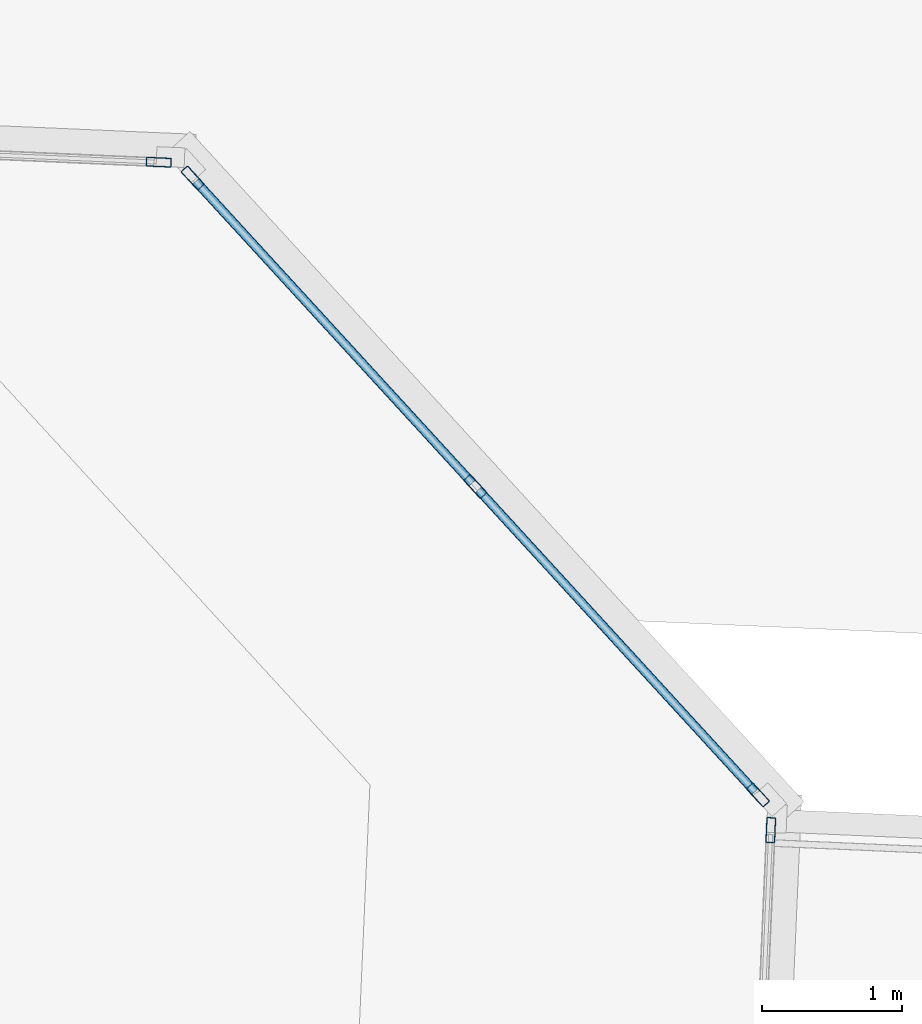
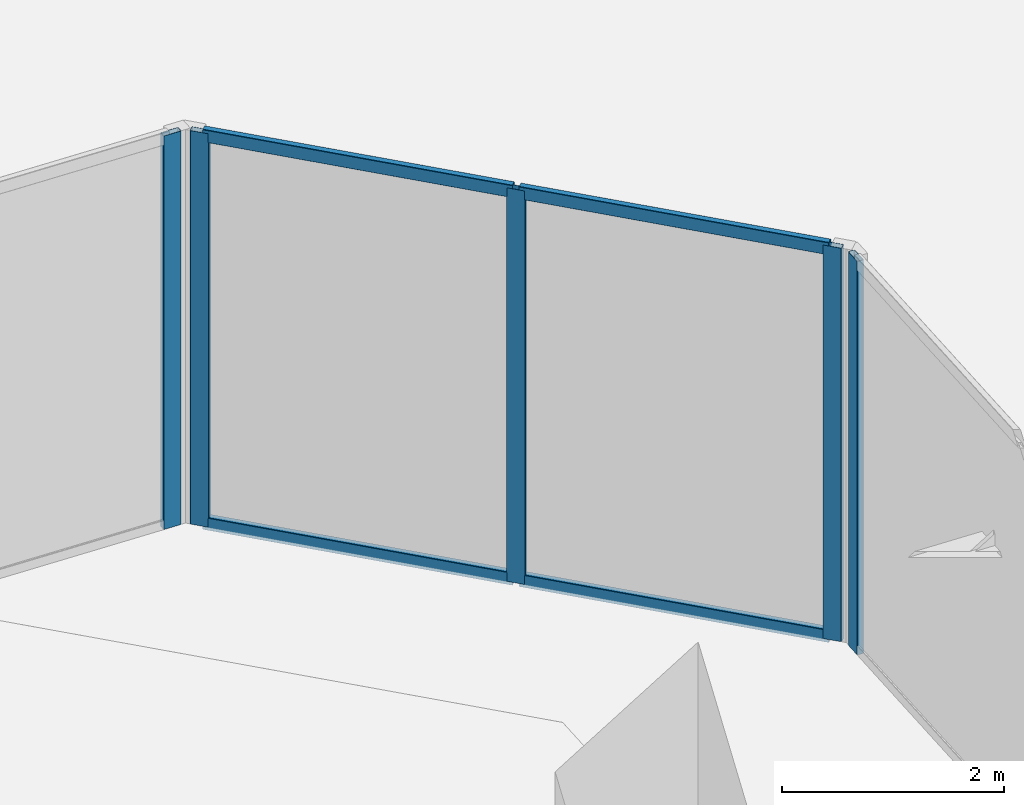
# One storey, part 24 of 33: 9 members, 3 elements without a shape of their own.
"""IFC4 building model written with IfcOpenShell, lengths in metres."""

from ifc_helpers import new_model, si_unit, direction, frame, origin, origin_2d, place, context, subcontext, project, spatial, hollow_rectangle, extrude, source, transform, mapped, material, material_profile, profile_set, type_object, element, aggregate, save


model = new_model("IFC4")

# Units and contexts
model_context = context("Model", 3, precision=1e-05, world=origin(), true_north=direction((0.0, 1.0)))
body_context = subcontext(model_context, "Body", "Model", "MODEL_VIEW")
ifc_project = project(units=[si_unit("LENGTHUNIT", "METRE"), si_unit("AREAUNIT", "SQUARE_METRE"), si_unit("VOLUMEUNIT", "CUBIC_METRE"), si_unit("PLANEANGLEUNIT", "RADIAN"), si_unit("MASSUNIT", "GRAM", prefix="KILO")], contexts=[model_context])

# Site, building, storey
site_placement = place(None, origin())
site = spatial("IfcSite", under=ifc_project, at=site_placement, CompositionType="ELEMENT")
building_placement = place(site_placement, origin())
building = spatial("IfcBuilding", under=site, at=building_placement, Name="Torre Montelarca", CompositionType="ELEMENT")
storey_placement = place(building_placement, frame((0.0, 0.0, 32.800048828125)))
storey = spatial("IfcBuildingStorey", under=building, at=storey_placement, Name="L07", CompositionType="ELEMENT", Elevation=32.800048828125)

# Curtain wall, member
ifc_material_1 = material(Name="Insulated low-E laminated glass", Category="glass")
curtain_wall_type = type_object("IfcCurtainWallType", Name="CW-SYS-Z1", PredefinedType="USERDEFINED", material=ifc_material_1)
curtain_wall_1_placement = place(storey_placement, origin())
curtain_wall_1 = element("IfcCurtainWall", 1, at=curtain_wall_1_placement, inside=storey, type_object=curtain_wall_type, Name="L07 Curtain Wall Run CW-T3-L07-E06-B2", ObjectType="UNITISED GLAZING", PredefinedType="USERDEFINED")
ifc_material_2 = material(Name="Anodised aluminium AA 6063-T6", Category="aluminium")
ifc_material_profile_1 = material_profile(ifc_material_2, hollow_rectangle(XDim=0.06494140625, YDim=0.179931640625, WallThickness=0.00390625, InnerFilletRadius=0.00390625, OuterFilletRadius=0.008056640625, at=origin_2d()), Name="ALU65X180X4", Category="aluminium")
ifc_profile_set_1 = profile_set([ifc_material_profile_1], Name="Anodised aluminium AA 6063-T6")
member_type_1 = type_object("IfcMemberType", Name="CWM-ALU180", PredefinedType="MULLION", material=ifc_profile_set_1)
shared_shape_1 = source(origin(), body_context, "Body", "SweptSolid", [
    extrude(hollow_rectangle(XDim=0.06494140625, YDim=0.179931640625, WallThickness=0.00390625, InnerFilletRadius=0.00390625, OuterFilletRadius=0.008056640625, at=origin_2d()), origin(), (0.0, 0.0, 1.0), 4.320068359375),
])
member_1_placement = place(storey_placement, frame((64.2314453125, 41.64697265625, 0.0), z_axis=(0.0, 0.0, 1.0), x_axis=(-0.999048203112, 0.043619810397, 0.0)))
member_1 = element("IfcMember", 2, at=member_1_placement, type_object=member_type_1, Name="CW mullion 3", PredefinedType="MULLION", context=body_context, shape_type="MappedRepresentation", body=[
    mapped(shared_shape_1, transform((0.0, 0.0, 0.0), scale=1.0)),
])
aggregate(curtain_wall_1, [member_1])

# Curtain wall, members
curtain_wall_2_placement = place(storey_placement, origin())
curtain_wall_2 = element("IfcCurtainWall", 3, at=curtain_wall_2_placement, inside=storey, type_object=curtain_wall_type, Name="L07 Curtain Wall Run CW-T3-L07-E07-B1", ObjectType="UNITISED GLAZING", PredefinedType="USERDEFINED")
member_2_placement = place(storey_placement, frame((64.14013671875, 41.897705078125, 0.0), z_axis=(0.0, 0.0, 1.0), x_axis=(-0.737291747736, -0.675574480513, 0.0)))
member_2 = element("IfcMember", 4, at=member_2_placement, type_object=member_type_1, Name="CW mullion 1", PredefinedType="MULLION", context=body_context, shape_type="MappedRepresentation", body=[
    mapped(shared_shape_1, transform((0.0, 0.0, 0.0), scale=1.0)),
])
member_3_placement = place(storey_placement, frame((62.12451171875, 44.09765625, 0.0), z_axis=(0.0, 0.0, 1.0), x_axis=(-0.737291747736, -0.675574480513, 0.0)))
member_3 = element("IfcMember", 5, at=member_3_placement, type_object=member_type_1, Name="CW mullion 2", PredefinedType="MULLION", context=body_context, shape_type="MappedRepresentation", body=[
    mapped(shared_shape_1, transform((0.0, 0.0, 0.0), scale=1.0)),
])
member_4_placement = place(storey_placement, frame((60.108642578125, 46.29736328125, 0.0), z_axis=(0.0, 0.0, 1.0), x_axis=(-0.737291747736, -0.675574480513, 0.0)))
member_4 = element("IfcMember", 6, at=member_4_placement, type_object=member_type_1, Name="CW mullion 3", PredefinedType="MULLION", context=body_context, shape_type="MappedRepresentation", body=[
    mapped(shared_shape_1, transform((0.0, 0.0, 0.0), scale=1.0)),
])

# Curtain wall, member
curtain_wall_3_placement = place(storey_placement, origin())
curtain_wall_3 = element("IfcCurtainWall", 7, at=curtain_wall_3_placement, inside=storey, type_object=curtain_wall_type, Name="L07 Curtain Wall Run CW-T3-L07-E08-B1", ObjectType="UNITISED GLAZING", PredefinedType="USERDEFINED")
member_5_placement = place(storey_placement, frame((59.86669921875, 46.41015625, 0.0), z_axis=(0.0, 0.0, 1.0), x_axis=(-0.043620788577, -0.999048160403, 0.0)))
member_5 = element("IfcMember", 8, at=member_5_placement, type_object=member_type_1, Name="CW mullion 1", PredefinedType="MULLION", context=body_context, shape_type="MappedRepresentation", body=[
    mapped(shared_shape_1, transform((0.0, 0.0, 0.0), scale=1.0)),
])
aggregate(curtain_wall_3, [member_5])

# Member
ifc_material_profile_2 = material_profile(ifc_material_2, hollow_rectangle(XDim=0.06494140625, YDim=0.139892578125, WallThickness=0.00390625, InnerFilletRadius=0.00390625, OuterFilletRadius=0.008056640625, at=origin_2d()), Name="ALU65X140X4", Category="aluminium")
ifc_profile_set_2 = profile_set([ifc_material_profile_2], Name="Anodised aluminium AA 6063-T6")
member_type_2 = type_object("IfcMemberType", Name="CWT-ALU140", PredefinedType="USERDEFINED", material=ifc_profile_set_2)
shared_shape_2 = source(origin(), body_context, "Body", "SweptSolid", [
    extrude(hollow_rectangle(XDim=0.06494140625, YDim=0.139892578125, WallThickness=0.00390625, InnerFilletRadius=0.00390625, OuterFilletRadius=0.008056640625, at=origin_2d()), origin(), (0.0, 0.0, 1.0), 2.918701171875),
])
member_6_placement = place(storey_placement, frame((64.1181640625, 41.921630859375, 0.032470703125), z_axis=(-0.675523853429, 0.737338133727, 0.0), x_axis=(-0.737338133727, -0.675523853429, 0.0)))
member_6 = element("IfcMember", 9, at=member_6_placement, type_object=member_type_2, Name="CW transom 1.1", ObjectType="TRANSOM", PredefinedType="USERDEFINED", context=body_context, shape_type="MappedRepresentation", body=[
    mapped(shared_shape_2, transform((0.0, 0.0, 0.0), scale=1.0)),
])

member_7_placement = place(storey_placement, frame((64.1181640625, 41.921630859375, 4.287353515625), z_axis=(-0.675523853429, 0.737338133727, 0.0), x_axis=(-0.737338133727, -0.675523853429, 0.0)))
member_7 = element("IfcMember", 10, at=member_7_placement, type_object=member_type_2, Name="CW transom 1.2", ObjectType="TRANSOM", PredefinedType="USERDEFINED", context=body_context, shape_type="MappedRepresentation", body=[
    mapped(shared_shape_2, transform((0.0, 0.0, 0.0), scale=1.0)),
])

member_8_placement = place(storey_placement, frame((62.1025390625, 44.12158203125, 0.032470703125), z_axis=(-0.675610987809, 0.737258294732, 0.0), x_axis=(-0.737258294732, -0.675610987809, 0.0)))
member_8 = element("IfcMember", 11, at=member_8_placement, type_object=member_type_2, Name="CW transom 2.1", ObjectType="TRANSOM", PredefinedType="USERDEFINED", context=body_context, shape_type="MappedRepresentation", body=[
    mapped(shared_shape_2, transform((0.0, 0.0, 0.0), scale=1.0)),
])

member_9_placement = place(storey_placement, frame((62.1025390625, 44.12158203125, 4.287353515625), z_axis=(-0.675610987809, 0.737258294732, 0.0), x_axis=(-0.737258294732, -0.675610987809, 0.0)))
member_9 = element("IfcMember", 12, at=member_9_placement, type_object=member_type_2, Name="CW transom 2.2", ObjectType="TRANSOM", PredefinedType="USERDEFINED", context=body_context, shape_type="MappedRepresentation", body=[
    mapped(shared_shape_2, transform((0.0, 0.0, 0.0), scale=1.0)),
])

aggregate(curtain_wall_2, [member_2, member_3, member_4, member_6, member_7, member_8, member_9])

save(model, "model.ifc")
